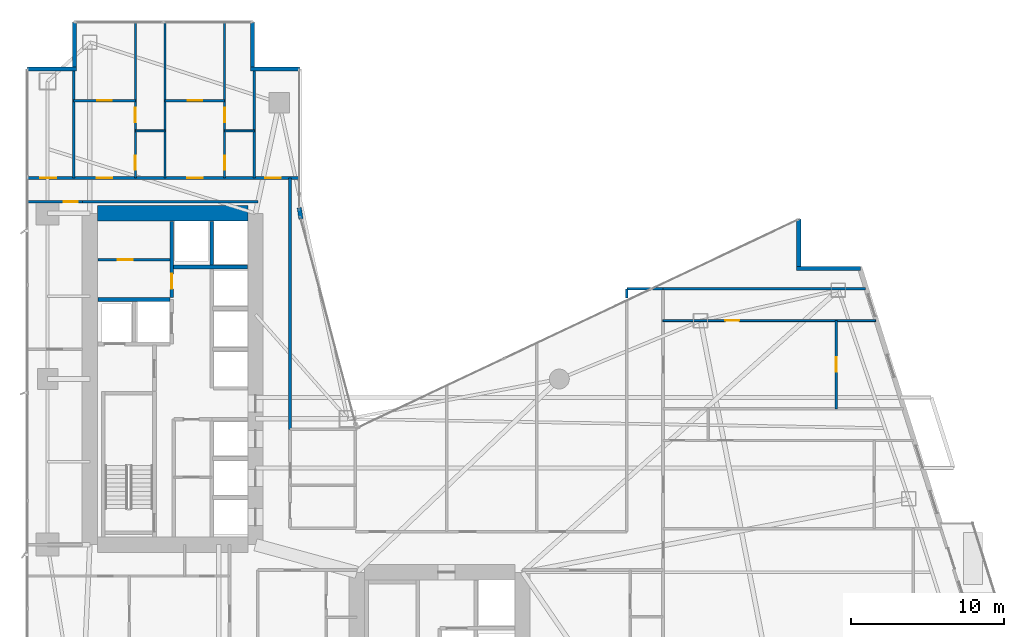
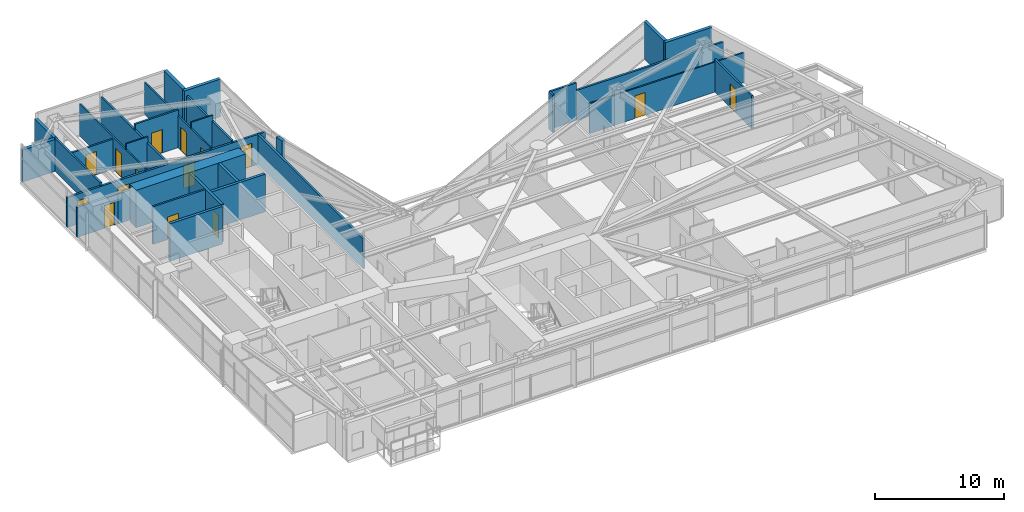
# One storey, part 25 of 29: 31 walls, 15 doors, 15 openings.
"""IFC4 building model written with IfcOpenShell, lengths in metres."""

from ifc_helpers import new_model, si_unit, direction, frame, frame_2d, origin, place, context, subcontext, project, spatial, rectangle, extrude, material, layer, layer_set, type_object, element, fill, save


model = new_model("IFC4")

# Units and contexts
model_context = context("Model", 3, precision=1e-05, world=origin(), true_north=direction((0.0, 1.0)))
body_context = subcontext(model_context, "Body", "Model", "MODEL_VIEW")
ifc_project = project(units=[si_unit("LENGTHUNIT", "METRE"), si_unit("AREAUNIT", "SQUARE_METRE"), si_unit("VOLUMEUNIT", "CUBIC_METRE"), si_unit("PLANEANGLEUNIT", "RADIAN"), si_unit("MASSUNIT", "GRAM", prefix="KILO")], contexts=[model_context])

# Site, building, storey
site_placement = place(None, origin())
site = spatial("IfcSite", under=ifc_project, at=site_placement, CompositionType="ELEMENT")
building_placement = place(site_placement, origin())
building = spatial("IfcBuilding", under=site, at=building_placement, Name="Calvorn Quay Hotel", CompositionType="ELEMENT")
storey_placement = place(building_placement, frame((0.0, 0.0, 62.199951171875)))
storey = spatial("IfcBuildingStorey", under=building, at=storey_placement, Name="L14", CompositionType="ELEMENT", Elevation=62.199951171875)

# Wall
ifc_material_1 = material(Name="Concrete C60", Category="concrete")
ifc_layer_1 = layer(ifc_material_1, 1.0)
ifc_layer_set_1 = layer_set([ifc_layer_1], Name="WL-CORE-1000")
wall_type_1 = type_object("IfcWallType", Name="WL-CORE-1000", PredefinedType="SHEAR", material=ifc_layer_set_1)
wall_1_placement = place(storey_placement, frame((4.699951171875, 38.39990234375, 0.0), z_axis=(0.0, 0.0, 1.0), x_axis=(1.0, 0.0, 0.0)))
element("IfcWall", 1, at=wall_1_placement, inside=storey, type_object=wall_type_1, Name="West Core Shear Wall N (L14)", PredefinedType="SHEAR", context=body_context, shape_type="SweptSolid", body=[
    extrude(rectangle(XDim=9.800048828125, YDim=1.0, at=frame_2d((4.89990234375, 0.0))), origin(), (0.0, 0.0, 1.0), 3.56005859375),
])

# Wall, opening, door
ifc_material_2 = material(Name="Acoustic Fireboard Steel-Stud Partition", Category="steel")
ifc_layer_2 = layer(ifc_material_2, 0.179931640625)
ifc_layer_set_2 = layer_set([ifc_layer_2], Name="WL-CORR-FIRE-180")
wall_type_2 = type_object("IfcWallType", Name="WL-CORR-FIRE-180", PredefinedType="PARTITIONING", material=ifc_layer_set_2)
wall_2_placement = place(storey_placement, frame((0.080078125, 39.14990234375, 0.0), z_axis=(0.0, 0.0, 1.0), x_axis=(1.0, 0.0, 0.0)))
wall_2 = element("IfcWall", 2, at=wall_2_placement, inside=storey, type_object=wall_type_2, Name="Partition Wall L14-WL-WBAY-N-DOOR", PredefinedType="PARTITIONING", context=body_context, shape_type="SweptSolid", body=[
    extrude(rectangle(XDim=3.64990234375, YDim=0.179931640625, at=frame_2d((1.824951171875, 0.0))), origin(), (0.0, 0.0, 1.0), 2.840087890625),
])
opening_1_placement = place(wall_2_placement, frame((2.429931640625, 0.0, 0.0)))
opening_1 = element("IfcOpeningElement", 3, at=opening_1_placement, cuts=wall_2, Name="Opening D-L14-WBN", PredefinedType="OPENING", context=body_context, shape_type="SweptSolid", body=[
    extrude(rectangle(XDim=0.89990234375, YDim=2.14990234375, at=frame_2d((0.449951171875, 1.074951171875))), frame((0.0, 0.099853515625, 0.0), z_axis=(0.0, -1.0, 0.0), x_axis=(1.0, 0.0, 0.0)), (0.0, 0.0, 1.0), 0.199951171875),
])
ifc_material_3 = material(Name="Moisture-Sealed Timber En-Suite Door", Category="wood")
door_type_1 = type_object("IfcDoorType", Name="DR-ENSUITE-900", OperationType="NOTDEFINED", PredefinedType="DOOR", material=ifc_material_3)
door_1_placement = place(opening_1_placement, origin())
door_1 = element("IfcDoor", 4, at=door_1_placement, inside=storey, type_object=door_type_1, Name="West North Bay Door (L14)", OperationType="SINGLE_SWING_LEFT", OverallHeight=2.14990234375, OverallWidth=0.89990234375, PredefinedType="DOOR", context=body_context, shape_type="SweptSolid", body=[
    extrude(rectangle(XDim=0.89990234375, YDim=2.14990234375, at=frame_2d((0.449951171875, 1.074951171875))), frame((0.0, 0.02490234375, 0.0), z_axis=(0.0, -1.0, 0.0), x_axis=(1.0, 0.0, 0.0)), (0.0, 0.0, 1.0), 0.050048828125),
])
fill(opening_1, door_1)

# Wall, openings, doors
wall_3_placement = place(storey_placement, frame((0.080078125, 40.699951171875, 0.0), z_axis=(0.0, 0.0, 1.0), x_axis=(1.0, 0.0, 0.0)))
wall_3 = element("IfcWall", 5, at=wall_3_placement, inside=storey, type_object=wall_type_2, Name="Partition Wall L14-WL-CORR-NW-N", PredefinedType="PARTITIONING", context=body_context, shape_type="SweptSolid", body=[
    extrude(rectangle(XDim=17.77001953125, YDim=0.179931640625, at=frame_2d((8.885009765625, 0.0))), origin(), (0.0, 0.0, 1.0), 2.840087890625),
])
opening_2_placement = place(wall_3_placement, frame((0.89990234375, 0.0, 0.0)))
opening_2 = element("IfcOpeningElement", 6, at=opening_2_placement, cuts=wall_3, Name="Opening D-L14-NWW", PredefinedType="OPENING", context=body_context, shape_type="SweptSolid", body=[
    extrude(rectangle(XDim=1.02001953125, YDim=2.199951171875, at=frame_2d((0.510009765625, 1.10009765625))), frame((0.0, 0.099853515625, 0.0), z_axis=(0.0, -1.0, 0.0), x_axis=(1.0, 0.0, 0.0)), (0.0, 0.0, 1.0), 0.199951171875),
])
opening_3_placement = place(wall_3_placement, frame((4.570068359375, 0.0, 0.0)))
opening_3 = element("IfcOpeningElement", 7, at=opening_3_placement, cuts=wall_3, Name="Opening D-L14-U04", PredefinedType="OPENING", context=body_context, shape_type="SweptSolid", body=[
    extrude(rectangle(XDim=1.02001953125, YDim=2.199951171875, at=frame_2d((0.510009765625, 1.10009765625))), frame((0.0, 0.099853515625, 0.0), z_axis=(0.0, -1.0, 0.0), x_axis=(1.0, 0.0, 0.0)), (0.0, 0.0, 1.0), 0.199951171875),
])
opening_4_placement = place(wall_3_placement, frame((10.4599609375, 0.0, 0.0)))
opening_4 = element("IfcOpeningElement", 8, at=opening_4_placement, cuts=wall_3, Name="Opening D-L14-U05", PredefinedType="OPENING", context=body_context, shape_type="SweptSolid", body=[
    extrude(rectangle(XDim=1.02001953125, YDim=2.199951171875, at=frame_2d((0.510009765625, 1.10009765625))), frame((0.0, 0.099853515625, 0.0), z_axis=(0.0, -1.0, 0.0), x_axis=(1.0, 0.0, 0.0)), (0.0, 0.0, 1.0), 0.199951171875),
])
opening_5_placement = place(wall_3_placement, frame((15.550048828125, 0.0, 0.0)))
opening_5 = element("IfcOpeningElement", 9, at=opening_5_placement, cuts=wall_3, Name="Opening D-L14-NWE", PredefinedType="OPENING", context=body_context, shape_type="SweptSolid", body=[
    extrude(rectangle(XDim=1.02001953125, YDim=2.199951171875, at=frame_2d((0.510009765625, 1.10009765625))), frame((0.0, 0.099853515625, 0.0), z_axis=(0.0, -1.0, 0.0), x_axis=(1.0, 0.0, 0.0)), (0.0, 0.0, 1.0), 0.199951171875),
])
ifc_material_4 = material(Name="Solid-Core Walnut Veneer Hotel Fire Door")
door_type_2 = type_object("IfcDoorType", Name="DR-GUEST-ENTRY-1020", OperationType="NOTDEFINED", PredefinedType="DOOR", material=ifc_material_4)
door_2_placement = place(opening_2_placement, origin())
door_2 = element("IfcDoor", 10, at=door_2_placement, inside=storey, type_object=door_type_2, Name="West Corner Study Door (L14)", OperationType="SINGLE_SWING_LEFT", OverallHeight=2.199951171875, OverallWidth=1.02001953125, PredefinedType="DOOR", context=body_context, shape_type="SweptSolid", body=[
    extrude(rectangle(XDim=1.02001953125, YDim=2.199951171875, at=frame_2d((0.510009765625, 1.10009765625))), frame((0.0, 0.02490234375, 0.0), z_axis=(0.0, -1.0, 0.0), x_axis=(1.0, 0.0, 0.0)), (0.0, 0.0, 1.0), 0.050048828125),
])
fill(opening_2, door_2)
door_3_placement = place(opening_3_placement, origin())
door_3 = element("IfcDoor", 11, at=door_3_placement, inside=storey, type_object=door_type_2, Name="North-West Unit Door U04 (L14)", OperationType="SINGLE_SWING_RIGHT", OverallHeight=2.199951171875, OverallWidth=1.02001953125, PredefinedType="DOOR", context=body_context, shape_type="SweptSolid", body=[
    extrude(rectangle(XDim=1.02001953125, YDim=2.199951171875, at=frame_2d((0.510009765625, 1.10009765625))), frame((0.0, 0.02490234375, 0.0), z_axis=(0.0, -1.0, 0.0), x_axis=(1.0, 0.0, 0.0)), (0.0, 0.0, 1.0), 0.050048828125),
])
fill(opening_3, door_3)
door_4_placement = place(opening_4_placement, origin())
door_4 = element("IfcDoor", 12, at=door_4_placement, inside=storey, type_object=door_type_2, Name="North-West Unit Door U05 (L14)", OperationType="SINGLE_SWING_LEFT", OverallHeight=2.199951171875, OverallWidth=1.02001953125, PredefinedType="DOOR", context=body_context, shape_type="SweptSolid", body=[
    extrude(rectangle(XDim=1.02001953125, YDim=2.199951171875, at=frame_2d((0.510009765625, 1.10009765625))), frame((0.0, 0.02490234375, 0.0), z_axis=(0.0, -1.0, 0.0), x_axis=(1.0, 0.0, 0.0)), (0.0, 0.0, 1.0), 0.050048828125),
])
fill(opening_4, door_4)
door_5_placement = place(opening_5_placement, origin())
door_5 = element("IfcDoor", 13, at=door_5_placement, inside=storey, type_object=door_type_2, Name="Inner Court Study Door (L14)", OperationType="SINGLE_SWING_RIGHT", OverallHeight=2.199951171875, OverallWidth=1.02001953125, PredefinedType="DOOR", context=body_context, shape_type="SweptSolid", body=[
    extrude(rectangle(XDim=1.02001953125, YDim=2.199951171875, at=frame_2d((0.510009765625, 1.10009765625))), frame((0.0, 0.02490234375, 0.0), z_axis=(0.0, -1.0, 0.0), x_axis=(1.0, 0.0, 0.0)), (0.0, 0.0, 1.0), 0.050048828125),
])
fill(opening_5, door_5)

# Walls
wall_4_placement = place(storey_placement, frame((17.25, 24.300048828125, 0.0), z_axis=(0.0, 0.0, 1.0), x_axis=(0.0, 1.0, 0.0)))
element("IfcWall", 14, at=wall_4_placement, inside=storey, type_object=wall_type_2, Name="Partition Wall L14-WL-NW-CLOSURE-E", PredefinedType="PARTITIONING", context=body_context, shape_type="SweptSolid", body=[
    extrude(rectangle(XDim=16.39990234375, YDim=0.179931640625, at=frame_2d((8.199951171875, 0.0))), origin(), (0.0, 0.0, 1.0), 2.840087890625),
])
wall_5_placement = place(storey_placement, frame((3.679931640625, 39.14990234375, 0.0), z_axis=(0.0, 0.0, 1.0), x_axis=(1.0, 0.0, 0.0)))
element("IfcWall", 15, at=wall_5_placement, inside=storey, type_object=wall_type_2, Name="Partition Wall L14-WL-W-SPUR-S", PredefinedType="PARTITIONING", context=body_context, shape_type="SweptSolid", body=[
    extrude(rectangle(XDim=11.469970703125, YDim=0.179931640625, at=frame_2d((5.73486328125, 0.0))), origin(), (0.0, 0.0, 1.0), 2.840087890625),
])
wall_6_placement = place(storey_placement, frame((41.550048828125, 33.47998046875, 0.0), z_axis=(0.0, 0.0, 1.0), x_axis=(1.0, 0.0, 0.0)))
element("IfcWall", 16, at=wall_6_placement, inside=storey, type_object=wall_type_2, Name="Partition Wall L14-WL-TIP-N", PredefinedType="PARTITIONING", context=body_context, shape_type="SweptSolid", body=[
    extrude(rectangle(XDim=13.2099609375, YDim=0.179931640625, at=frame_2d((6.60498046875, 0.0))), origin(), (0.0, 0.0, 1.0), 2.840087890625),
])
wall_7_placement = place(storey_placement, frame((39.199951171875, 32.889892578125, 0.0), z_axis=(0.0, 0.0, 1.0), x_axis=(0.0, 1.0, 0.0)))
element("IfcWall", 17, at=wall_7_placement, inside=storey, type_object=wall_type_2, Name="Partition Wall L14-WL-CORR-TIP-NW", PredefinedType="PARTITIONING", context=body_context, shape_type="SweptSolid", body=[
    extrude(rectangle(XDim=0.590087890625, YDim=0.179931640625, at=frame_2d((0.294921875, 0.0))), origin(), (0.0, 0.0, 1.0), 3.56005859375),
])
wall_8_placement = place(storey_placement, frame((39.199951171875, 33.47998046875, 0.0), z_axis=(0.0, 0.0, 1.0), x_axis=(1.0, 0.0, 0.0)))
element("IfcWall", 18, at=wall_8_placement, inside=storey, type_object=wall_type_2, Name="Partition Wall L14-WL-CORR-TIP-NN", PredefinedType="PARTITIONING", context=body_context, shape_type="SweptSolid", body=[
    extrude(rectangle(XDim=2.35009765625, YDim=0.179931640625, at=frame_2d((1.175048828125, 0.0))), origin(), (0.0, 0.0, 1.0), 3.56005859375),
])
ifc_material_5 = material(Name="Moisture-Resistant Tile-Backed Partition")
ifc_layer_3 = layer(ifc_material_5, 0.125)
ifc_layer_set_3 = layer_set([ifc_layer_3], Name="WL-ENSUITE-125")
wall_type_3 = type_object("IfcWallType", Name="WL-ENSUITE-125", PredefinedType="PARTITIONING", material=ifc_layer_set_3)
wall_9_placement = place(storey_placement, frame((7.169921875, 43.77001953125, 0.0), z_axis=(0.0, 0.0, 1.0), x_axis=(1.0, 0.0, 0.0)))
element("IfcWall", 19, at=wall_9_placement, inside=storey, type_object=wall_type_3, Name="Partition Wall L14-WL-U04-BDV", PredefinedType="PARTITIONING", context=body_context, shape_type="SweptSolid", body=[
    extrude(rectangle(XDim=1.93017578125, YDim=0.125, at=frame_2d((0.965087890625, 0.0))), origin(), (0.0, 0.0, 1.0), 3.56005859375),
])

# Wall, openings, doors
wall_10_placement = place(storey_placement, frame((7.169921875, 40.699951171875, 0.0), z_axis=(0.0, 0.0, 1.0), x_axis=(0.0, 1.0, 0.0)))
wall_10 = element("IfcWall", 20, at=wall_10_placement, inside=storey, type_object=wall_type_3, Name="Partition Wall L14-WL-U04-BV", PredefinedType="PARTITIONING", context=body_context, shape_type="SweptSolid", body=[
    extrude(rectangle(XDim=10.239990234375, YDim=0.125, at=frame_2d((5.1201171875, 0.0))), origin(), (0.0, 0.0, 1.0), 3.0400390625),
])
opening_6_placement = place(wall_10_placement, frame((0.550048828125, 0.0, 0.0)))
opening_6 = element("IfcOpeningElement", 21, at=opening_6_placement, cuts=wall_10, Name="Opening D-L14-E04", PredefinedType="OPENING", context=body_context, shape_type="SweptSolid", body=[
    extrude(rectangle(XDim=0.89990234375, YDim=2.14990234375, at=frame_2d((0.449951171875, 1.074951171875))), frame((0.0, 0.072509765625, 0.0), z_axis=(0.0, -1.0, 0.0), x_axis=(1.0, 0.0, 0.0)), (0.0, 0.0, 1.0), 0.14501953125),
])
opening_7_placement = place(wall_10_placement, frame((3.6201171875, 0.0, 0.0)))
opening_7 = element("IfcOpeningElement", 22, at=opening_7_placement, cuts=wall_10, Name="Opening D-L14-S04", PredefinedType="OPENING", context=body_context, shape_type="SweptSolid", body=[
    extrude(rectangle(XDim=0.9599609375, YDim=2.199951171875, at=frame_2d((0.47998046875, 1.10009765625))), frame((0.0, 0.072509765625, 0.0), z_axis=(0.0, -1.0, 0.0), x_axis=(1.0, 0.0, 0.0)), (0.0, 0.0, 1.0), 0.14501953125),
])
door_6_placement = place(opening_6_placement, origin())
door_6 = element("IfcDoor", 23, at=door_6_placement, inside=storey, type_object=door_type_1, Name="En-Suite Door 04", OperationType="SINGLE_SWING_LEFT", OverallHeight=2.14990234375, OverallWidth=0.89990234375, PredefinedType="DOOR", context=body_context, shape_type="SweptSolid", body=[
    extrude(rectangle(XDim=0.89990234375, YDim=2.14990234375, at=frame_2d((0.449951171875, 1.074951171875))), frame((0.0, 0.02490234375, 0.0), z_axis=(0.0, -1.0, 0.0), x_axis=(1.0, 0.0, 0.0)), (0.0, 0.0, 1.0), 0.050048828125),
])
fill(opening_6, door_6)
ifc_material_6 = material(Name="Solid Timber Internal Suite Door", Category="wood")
door_type_3 = type_object("IfcDoorType", Name="DR-SUITE-INT-960", OperationType="NOTDEFINED", PredefinedType="DOOR", material=ifc_material_6)
door_7_placement = place(opening_7_placement, origin())
door_7 = element("IfcDoor", 24, at=door_7_placement, inside=storey, type_object=door_type_3, Name="Private Executive Study Door 04", OperationType="SINGLE_SWING_RIGHT", OverallHeight=2.199951171875, OverallWidth=0.9599609375, PredefinedType="DOOR", context=body_context, shape_type="SweptSolid", body=[
    extrude(rectangle(XDim=0.9599609375, YDim=2.199951171875, at=frame_2d((0.47998046875, 1.10009765625))), frame((0.0, 0.02490234375, 0.0), z_axis=(0.0, -1.0, 0.0), x_axis=(1.0, 0.0, 0.0)), (0.0, 0.0, 1.0), 0.050048828125),
])
fill(opening_7, door_7)

# Wall
wall_11_placement = place(storey_placement, frame((12.989990234375, 43.77001953125, 0.0), z_axis=(0.0, 0.0, 1.0), x_axis=(1.0, 0.0, 0.0)))
element("IfcWall", 25, at=wall_11_placement, inside=storey, type_object=wall_type_3, Name="Partition Wall L14-WL-U05-BDV", PredefinedType="PARTITIONING", context=body_context, shape_type="SweptSolid", body=[
    extrude(rectangle(XDim=1.929931640625, YDim=0.125, at=frame_2d((0.96484375, 0.0))), origin(), (0.0, 0.0, 1.0), 3.56005859375),
])

# Wall, openings, doors
wall_12_placement = place(storey_placement, frame((12.989990234375, 40.699951171875, 0.0), z_axis=(0.0, 0.0, 1.0), x_axis=(0.0, 1.0, 0.0)))
wall_12 = element("IfcWall", 26, at=wall_12_placement, inside=storey, type_object=wall_type_3, Name="Partition Wall L14-WL-U05-BV", PredefinedType="PARTITIONING", context=body_context, shape_type="SweptSolid", body=[
    extrude(rectangle(XDim=10.239990234375, YDim=0.125, at=frame_2d((5.1201171875, 0.0))), origin(), (0.0, 0.0, 1.0), 3.0400390625),
])
opening_8_placement = place(wall_12_placement, frame((0.550048828125, 0.0, 0.0)))
opening_8 = element("IfcOpeningElement", 27, at=opening_8_placement, cuts=wall_12, Name="Opening D-L14-E05", PredefinedType="OPENING", context=body_context, shape_type="SweptSolid", body=[
    extrude(rectangle(XDim=0.89990234375, YDim=2.14990234375, at=frame_2d((0.449951171875, 1.074951171875))), frame((0.0, 0.072509765625, 0.0), z_axis=(0.0, -1.0, 0.0), x_axis=(1.0, 0.0, 0.0)), (0.0, 0.0, 1.0), 0.14501953125),
])
opening_9_placement = place(wall_12_placement, frame((3.6201171875, 0.0, 0.0)))
opening_9 = element("IfcOpeningElement", 28, at=opening_9_placement, cuts=wall_12, Name="Opening D-L14-S05", PredefinedType="OPENING", context=body_context, shape_type="SweptSolid", body=[
    extrude(rectangle(XDim=0.9599609375, YDim=2.199951171875, at=frame_2d((0.47998046875, 1.10009765625))), frame((0.0, 0.072509765625, 0.0), z_axis=(0.0, -1.0, 0.0), x_axis=(1.0, 0.0, 0.0)), (0.0, 0.0, 1.0), 0.14501953125),
])
door_8_placement = place(opening_8_placement, origin())
door_8 = element("IfcDoor", 29, at=door_8_placement, inside=storey, type_object=door_type_1, Name="En-Suite Door 05", OperationType="SINGLE_SWING_LEFT", OverallHeight=2.14990234375, OverallWidth=0.89990234375, PredefinedType="DOOR", context=body_context, shape_type="SweptSolid", body=[
    extrude(rectangle(XDim=0.89990234375, YDim=2.14990234375, at=frame_2d((0.449951171875, 1.074951171875))), frame((0.0, 0.02490234375, 0.0), z_axis=(0.0, -1.0, 0.0), x_axis=(1.0, 0.0, 0.0)), (0.0, 0.0, 1.0), 0.050048828125),
])
fill(opening_8, door_8)
door_9_placement = place(opening_9_placement, origin())
door_9 = element("IfcDoor", 30, at=door_9_placement, inside=storey, type_object=door_type_3, Name="Private Executive Study Door 05", OperationType="SINGLE_SWING_RIGHT", OverallHeight=2.199951171875, OverallWidth=0.9599609375, PredefinedType="DOOR", context=body_context, shape_type="SweptSolid", body=[
    extrude(rectangle(XDim=0.9599609375, YDim=2.199951171875, at=frame_2d((0.47998046875, 1.10009765625))), frame((0.0, 0.02490234375, 0.0), z_axis=(0.0, -1.0, 0.0), x_axis=(1.0, 0.0, 0.0)), (0.0, 0.0, 1.0), 0.050048828125),
])
fill(opening_9, door_9)

# Wall, opening, door
wall_13_placement = place(storey_placement, frame((41.550048828125, 31.409912109375, 0.0), z_axis=(0.0, 0.0, 1.0), x_axis=(1.0, 0.0, 0.0)))
wall_13 = element("IfcWall", 31, at=wall_13_placement, inside=storey, type_object=wall_type_3, Name="Partition Wall L14-WL-U09-BH", PredefinedType="PARTITIONING", context=body_context, shape_type="SweptSolid", body=[
    extrude(rectangle(XDim=13.85986328125, YDim=0.125, at=frame_2d((6.929931640625, 0.0))), origin(), (0.0, 0.0, 1.0), 2.840087890625),
])
opening_10_placement = place(wall_13_placement, frame((4.070068359375, 0.0, 0.0)))
opening_10 = element("IfcOpeningElement", 32, at=opening_10_placement, cuts=wall_13, Name="Opening D-L14-E09", PredefinedType="OPENING", context=body_context, shape_type="SweptSolid", body=[
    extrude(rectangle(XDim=0.89990234375, YDim=2.14990234375, at=frame_2d((0.449951171875, 1.074951171875))), frame((0.0, 0.072509765625, 0.0), z_axis=(0.0, -1.0, 0.0), x_axis=(1.0, 0.0, 0.0)), (0.0, 0.0, 1.0), 0.14501953125),
])
door_10_placement = place(opening_10_placement, origin())
door_10 = element("IfcDoor", 33, at=door_10_placement, inside=storey, type_object=door_type_1, Name="En-Suite Door 09", OperationType="SINGLE_SWING_LEFT", OverallHeight=2.14990234375, OverallWidth=0.89990234375, PredefinedType="DOOR", context=body_context, shape_type="SweptSolid", body=[
    extrude(rectangle(XDim=0.89990234375, YDim=2.14990234375, at=frame_2d((0.449951171875, 1.074951171875))), frame((0.0, 0.02490234375, 0.0), z_axis=(0.0, -1.0, 0.0), x_axis=(1.0, 0.0, 0.0)), (0.0, 0.0, 1.0), 0.050048828125),
])
fill(opening_10, door_10)

# Walls
ifc_material_7 = material(Name="Concrete C40", Category="concrete")
ifc_layer_4 = layer(ifc_material_7, 0.320068359375)
ifc_layer_set_4 = layer_set([ifc_layer_4], Name="WL-EXT-SPANDREL-320")
wall_type_4 = type_object("IfcWallType", Name="WL-EXT-SPANDREL-320", PredefinedType="SOLIDWALL", material=ifc_layer_set_4)
wall_14_placement = place(storey_placement, frame((17.9619140625, 38.030029296875, 0.0), z_axis=(0.0, 0.0, 1.0), x_axis=(-0.15141125477, 0.988470855377, 0.0)))
element("IfcWall", 34, at=wall_14_placement, inside=storey, type_object=wall_type_4, Name="Inner Court Corner Pier L14-ICJ2", PredefinedType="SOLIDWALL", context=body_context, shape_type="SweptSolid", body=[
    extrude(rectangle(XDim=0.738525390625, YDim=0.280029296875, at=frame_2d((0.369140625, 0.0))), origin(), (0.0, 0.0, 1.0), 3.56005859375),
])
wall_15_placement = place(storey_placement, frame((54.43994140625, 34.800048828125, 0.0), z_axis=(0.0, 0.0, 1.0), x_axis=(-1.0, 0.0, 0.0)))
element("IfcWall", 35, at=wall_15_placement, inside=storey, type_object=wall_type_4, Name="Notched Corner Spandrel L14-NE1", PredefinedType="SOLIDWALL", context=body_context, shape_type="SweptSolid", body=[
    extrude(rectangle(XDim=4.179931640625, YDim=0.280029296875, at=frame_2d((2.08984375, 0.0))), origin(), (0.0, 0.0, 1.0), 3.56005859375),
])
wall_16_placement = place(storey_placement, frame((50.39990234375, 34.93994140625, 0.0), z_axis=(0.0, 0.0, 1.0), x_axis=(0.0, 1.0, 0.0)))
element("IfcWall", 36, at=wall_16_placement, inside=storey, type_object=wall_type_4, Name="Notched Corner Spandrel L14-NE2", PredefinedType="SOLIDWALL", context=body_context, shape_type="SweptSolid", body=[
    extrude(rectangle(XDim=3.10009765625, YDim=0.280029296875, at=frame_2d((1.550048828125, 0.0))), origin(), (0.0, 0.0, 1.0), 3.56005859375),
])
wall_17_placement = place(storey_placement, frame((17.89990234375, 47.800048828125, 0.0), z_axis=(0.0, 0.0, 1.0), x_axis=(-1.0, 0.0, 0.0)))
element("IfcWall", 37, at=wall_17_placement, inside=storey, type_object=wall_type_4, Name="Notched Corner Spandrel L14-NWE1", PredefinedType="SOLIDWALL", context=body_context, shape_type="SweptSolid", body=[
    extrude(rectangle(XDim=3.239990234375, YDim=0.280029296875, at=frame_2d((1.6201171875, 0.0))), origin(), (0.0, 0.0, 1.0), 3.56005859375),
])
wall_18_placement = place(storey_placement, frame((14.800048828125, 47.93994140625, 0.0), z_axis=(0.0, 0.0, 1.0), x_axis=(0.0, 1.0, 0.0)))
element("IfcWall", 38, at=wall_18_placement, inside=storey, type_object=wall_type_4, Name="Notched Corner Spandrel L14-NWE2", PredefinedType="SOLIDWALL", context=body_context, shape_type="SweptSolid", body=[
    extrude(rectangle(XDim=2.93994140625, YDim=0.280029296875, at=frame_2d((1.469970703125, 0.0))), origin(), (0.0, 0.0, 1.0), 3.56005859375),
])
wall_19_placement = place(storey_placement, frame((3.199951171875, 50.8798828125, 0.0), z_axis=(0.0, 0.0, 1.0), x_axis=(0.0, -1.0, 0.0)))
element("IfcWall", 39, at=wall_19_placement, inside=storey, type_object=wall_type_4, Name="Notched Corner Spandrel L14-NW1", PredefinedType="SOLIDWALL", context=body_context, shape_type="SweptSolid", body=[
    extrude(rectangle(XDim=2.93994140625, YDim=0.280029296875, at=frame_2d((1.469970703125, 0.0))), origin(), (0.0, 0.0, 1.0), 3.0400390625),
])
wall_20_placement = place(storey_placement, frame((3.340087890625, 47.800048828125, 0.0), z_axis=(0.0, 0.0, 1.0), x_axis=(-1.0, 0.0, 0.0)))
element("IfcWall", 40, at=wall_20_placement, inside=storey, type_object=wall_type_4, Name="Notched Corner Spandrel L14-NW2", PredefinedType="SOLIDWALL", context=body_context, shape_type="SweptSolid", body=[
    extrude(rectangle(XDim=3.219970703125, YDim=0.280029296875, at=frame_2d((1.60986328125, 0.0))), origin(), (0.0, 0.0, 1.0), 3.0400390625),
])

# Wall, opening, door
ifc_material_8 = material(Name="Double-Stud Acoustic Gypsum Partition")
ifc_layer_5 = layer(ifc_material_8, 0.159912109375)
ifc_layer_set_5 = layer_set([ifc_layer_5], Name="WL-INTERSUITE-160")
wall_type_5 = type_object("IfcWallType", Name="WL-INTERSUITE-160", PredefinedType="PARTITIONING", material=ifc_layer_set_5)
wall_21_placement = place(storey_placement, frame((4.719970703125, 35.3798828125, 0.0), z_axis=(0.0, 0.0, 1.0), x_axis=(1.0, 0.0, 0.0)))
wall_21 = element("IfcWall", 41, at=wall_21_placement, inside=storey, type_object=wall_type_5, Name="Partition Wall L14-WL-CWW-K-MID", PredefinedType="PARTITIONING", context=body_context, shape_type="SweptSolid", body=[
    extrude(rectangle(XDim=4.699951171875, YDim=0.159912109375, at=frame_2d((2.35009765625, 0.0))), origin(), (0.0, 0.0, 1.0), 3.56005859375),
])
opening_11_placement = place(wall_21_placement, frame((1.300048828125, 0.0, 0.0)))
opening_11 = element("IfcOpeningElement", 42, at=opening_11_placement, cuts=wall_21, Name="Opening D-L14-CK2", PredefinedType="OPENING", context=body_context, shape_type="SweptSolid", body=[
    extrude(rectangle(XDim=0.97998046875, YDim=2.14990234375, at=frame_2d((0.489990234375, 1.074951171875))), frame((0.0, 0.08984375, 0.0), z_axis=(0.0, -1.0, 0.0), x_axis=(1.0, 0.0, 0.0)), (0.0, 0.0, 1.0), 0.179931640625),
])
ifc_material_9 = material(Name="Painted Steel Housekeeping/Riser Fire Door", Category="steel")
door_type_4 = type_object("IfcDoorType", Name="DR-SERVICE-980", OperationType="NOTDEFINED", PredefinedType="DOOR", material=ifc_material_9)
door_11_placement = place(opening_11_placement, origin())
door_11 = element("IfcDoor", 43, at=door_11_placement, inside=storey, type_object=door_type_4, Name="Electrical Riser Door (L14)", OperationType="SINGLE_SWING_RIGHT", OverallHeight=2.14990234375, OverallWidth=0.97998046875, PredefinedType="DOOR", context=body_context, shape_type="SweptSolid", body=[
    extrude(rectangle(XDim=0.97998046875, YDim=2.14990234375, at=frame_2d((0.489990234375, 1.074951171875))), frame((0.0, 0.02490234375, 0.0), z_axis=(0.0, -1.0, 0.0), x_axis=(1.0, 0.0, 0.0)), (0.0, 0.0, 1.0), 0.050048828125),
])
fill(opening_11, door_11)

# Walls
wall_22_placement = place(storey_placement, frame((3.14990234375, 40.699951171875, 0.0), z_axis=(0.0, 0.0, 1.0), x_axis=(0.0, 1.0, 0.0)))
element("IfcWall", 44, at=wall_22_placement, inside=storey, type_object=wall_type_5, Name="Partition Wall L14-WL-NW-DIV-W0", PredefinedType="PARTITIONING", context=body_context, shape_type="SweptSolid", body=[
    extrude(rectangle(XDim=7.10009765625, YDim=0.159912109375, at=frame_2d((3.550048828125, 0.0))), origin(), (0.0, 0.0, 1.0), 3.14013671875),
])
wall_23_placement = place(storey_placement, frame((14.919921875, 40.699951171875, 0.0), z_axis=(0.0, 0.0, 1.0), x_axis=(0.0, 1.0, 0.0)))
element("IfcWall", 45, at=wall_23_placement, inside=storey, type_object=wall_type_5, Name="Partition Wall L14-WL-NW-DIV-E0", PredefinedType="PARTITIONING", context=body_context, shape_type="SweptSolid", body=[
    extrude(rectangle(XDim=7.10009765625, YDim=0.159912109375, at=frame_2d((3.550048828125, 0.0))), origin(), (0.0, 0.0, 1.0), 3.0400390625),
])

# Wall, opening, door
wall_24_placement = place(storey_placement, frame((3.14990234375, 45.75, 0.0), z_axis=(0.0, 0.0, 1.0), x_axis=(1.0, 0.0, 0.0)))
wall_24 = element("IfcWall", 46, at=wall_24_placement, inside=storey, type_object=wall_type_5, Name="Partition Wall L14-WL-U04-MSP", PredefinedType="PARTITIONING", context=body_context, shape_type="SweptSolid", body=[
    extrude(rectangle(XDim=4.02001953125, YDim=0.159912109375, at=frame_2d((2.010009765625, 0.0))), origin(), (0.0, 0.0, 1.0), 2.840087890625),
])
opening_12_placement = place(wall_24_placement, frame((1.530029296875, 0.0, 0.0)))
opening_12 = element("IfcOpeningElement", 47, at=opening_12_placement, cuts=wall_24, Name="Opening D-L14-M04", PredefinedType="OPENING", context=body_context, shape_type="SweptSolid", body=[
    extrude(rectangle(XDim=0.9599609375, YDim=2.199951171875, at=frame_2d((0.47998046875, 1.10009765625))), frame((0.0, 0.08984375, 0.0), z_axis=(0.0, -1.0, 0.0), x_axis=(1.0, 0.0, 0.0)), (0.0, 0.0, 1.0), 0.179931640625),
])
door_12_placement = place(opening_12_placement, origin())
door_12 = element("IfcDoor", 48, at=door_12_placement, inside=storey, type_object=door_type_3, Name="Suite Bedroom Door 04", OperationType="SINGLE_SWING_LEFT", OverallHeight=2.199951171875, OverallWidth=0.9599609375, PredefinedType="DOOR", context=body_context, shape_type="SweptSolid", body=[
    extrude(rectangle(XDim=0.9599609375, YDim=2.199951171875, at=frame_2d((0.47998046875, 1.10009765625))), frame((0.0, 0.02490234375, 0.0), z_axis=(0.0, -1.0, 0.0), x_axis=(1.0, 0.0, 0.0)), (0.0, 0.0, 1.0), 0.050048828125),
])
fill(opening_12, door_12)

wall_25_placement = place(storey_placement, frame((9.10009765625, 45.75, 0.0), z_axis=(0.0, 0.0, 1.0), x_axis=(1.0, 0.0, 0.0)))
wall_25 = element("IfcWall", 49, at=wall_25_placement, inside=storey, type_object=wall_type_5, Name="Partition Wall L14-WL-U05-MSP", PredefinedType="PARTITIONING", context=body_context, shape_type="SweptSolid", body=[
    extrude(rectangle(XDim=3.889892578125, YDim=0.159912109375, at=frame_2d((1.94482421875, 0.0))), origin(), (0.0, 0.0, 1.0), 3.56005859375),
])
opening_13_placement = place(wall_25_placement, frame((1.469970703125, 0.0, 0.0)))
opening_13 = element("IfcOpeningElement", 50, at=opening_13_placement, cuts=wall_25, Name="Opening D-L14-M05", PredefinedType="OPENING", context=body_context, shape_type="SweptSolid", body=[
    extrude(rectangle(XDim=0.9599609375, YDim=2.199951171875, at=frame_2d((0.47998046875, 1.10009765625))), frame((0.0, 0.08984375, 0.0), z_axis=(0.0, -1.0, 0.0), x_axis=(1.0, 0.0, 0.0)), (0.0, 0.0, 1.0), 0.179931640625),
])
door_13_placement = place(opening_13_placement, origin())
door_13 = element("IfcDoor", 51, at=door_13_placement, inside=storey, type_object=door_type_3, Name="Suite Bedroom Door 05", OperationType="SINGLE_SWING_LEFT", OverallHeight=2.199951171875, OverallWidth=0.9599609375, PredefinedType="DOOR", context=body_context, shape_type="SweptSolid", body=[
    extrude(rectangle(XDim=0.9599609375, YDim=2.199951171875, at=frame_2d((0.47998046875, 1.10009765625))), frame((0.0, 0.02490234375, 0.0), z_axis=(0.0, -1.0, 0.0), x_axis=(1.0, 0.0, 0.0)), (0.0, 0.0, 1.0), 0.050048828125),
])
fill(opening_13, door_13)

# Wall
wall_26_placement = place(storey_placement, frame((9.10009765625, 40.699951171875, 0.0), z_axis=(0.0, 0.0, 1.0), x_axis=(0.0, 1.0, 0.0)))
element("IfcWall", 52, at=wall_26_placement, inside=storey, type_object=wall_type_5, Name="Partition Wall L14-WL-NW-DIV-1", PredefinedType="PARTITIONING", context=body_context, shape_type="SweptSolid", body=[
    extrude(rectangle(XDim=10.239990234375, YDim=0.159912109375, at=frame_2d((5.1201171875, 0.0))), origin(), (0.0, 0.0, 1.0), 3.0400390625),
])

# Wall, opening, door
wall_27_placement = place(storey_placement, frame((52.85009765625, 25.659912109375, 0.0), z_axis=(0.0, 0.0, 1.0), x_axis=(0.0, 1.0, 0.0)))
wall_27 = element("IfcWall", 53, at=wall_27_placement, inside=storey, type_object=wall_type_5, Name="Partition Wall L14-WL-U09-MSP", PredefinedType="PARTITIONING", context=body_context, shape_type="SweptSolid", body=[
    extrude(rectangle(XDim=5.75, YDim=0.159912109375, at=frame_2d((2.875, 0.0))), origin(), (0.0, 0.0, 1.0), 3.090087890625),
])
opening_14_placement = place(wall_27_placement, frame((2.39990234375, 0.0, 0.0)))
opening_14 = element("IfcOpeningElement", 54, at=opening_14_placement, cuts=wall_27, Name="Opening D-L14-M09", PredefinedType="OPENING", context=body_context, shape_type="SweptSolid", body=[
    extrude(rectangle(XDim=0.9599609375, YDim=2.199951171875, at=frame_2d((0.47998046875, 1.10009765625))), frame((0.0, 0.08984375, 0.0), z_axis=(0.0, -1.0, 0.0), x_axis=(1.0, 0.0, 0.0)), (0.0, 0.0, 1.0), 0.179931640625),
])
door_14_placement = place(opening_14_placement, origin())
door_14 = element("IfcDoor", 55, at=door_14_placement, inside=storey, type_object=door_type_3, Name="Suite Bedroom Door 09", OperationType="SINGLE_SWING_LEFT", OverallHeight=2.199951171875, OverallWidth=0.9599609375, PredefinedType="DOOR", context=body_context, shape_type="SweptSolid", body=[
    extrude(rectangle(XDim=0.9599609375, YDim=2.199951171875, at=frame_2d((0.47998046875, 1.10009765625))), frame((0.0, 0.02490234375, 0.0), z_axis=(0.0, -1.0, 0.0), x_axis=(1.0, 0.0, 0.0)), (0.0, 0.0, 1.0), 0.050048828125),
])
fill(opening_14, door_14)

ifc_material_10 = material(Name="Autoclaved Aerated Masonry Block", Category="masonry")
ifc_layer_6 = layer(ifc_material_10, 0.219970703125)
ifc_layer_set_6 = layer_set([ifc_layer_6], Name="WL-LOBBY-FIRE-220")
wall_type_6 = type_object("IfcWallType", Name="WL-LOBBY-FIRE-220", PredefinedType="SOLIDWALL", material=ifc_layer_set_6)
wall_28_placement = place(storey_placement, frame((9.5400390625, 32.919921875, 0.0), z_axis=(0.0, 0.0, 1.0), x_axis=(0.0, 1.0, 0.0)))
wall_28 = element("IfcWall", 56, at=wall_28_placement, inside=storey, type_object=wall_type_6, Name="Partition Wall L14-WL-CWW-K-E", PredefinedType="SOLIDWALL", context=body_context, shape_type="SweptSolid", body=[
    extrude(rectangle(XDim=4.9599609375, YDim=0.219970703125, at=frame_2d((2.47998046875, 0.0))), origin(), (0.0, 0.0, 1.0), 3.56005859375),
])
opening_15_placement = place(wall_28_placement, frame((0.550048828125, 0.0, 0.0)))
opening_15 = element("IfcOpeningElement", 57, at=opening_15_placement, cuts=wall_28, Name="Opening D-L14-CK1", PredefinedType="OPENING", context=body_context, shape_type="SweptSolid", body=[
    extrude(rectangle(XDim=0.97998046875, YDim=2.14990234375, at=frame_2d((0.489990234375, 1.074951171875))), frame((0.0, 0.119873046875, 0.0), z_axis=(0.0, -1.0, 0.0), x_axis=(1.0, 0.0, 0.0)), (0.0, 0.0, 1.0), 0.239990234375),
])
door_15_placement = place(opening_15_placement, origin())
door_15 = element("IfcDoor", 58, at=door_15_placement, inside=storey, type_object=door_type_4, Name="Core Housekeeping Door (L14)", OperationType="SINGLE_SWING_LEFT", OverallHeight=2.14990234375, OverallWidth=0.97998046875, PredefinedType="DOOR", context=body_context, shape_type="SweptSolid", body=[
    extrude(rectangle(XDim=0.97998046875, YDim=2.14990234375, at=frame_2d((0.489990234375, 1.074951171875))), frame((0.0, 0.02490234375, 0.0), z_axis=(0.0, -1.0, 0.0), x_axis=(1.0, 0.0, 0.0)), (0.0, 0.0, 1.0), 0.050048828125),
])
fill(opening_15, door_15)

# Walls
ifc_material_11 = material(Name="Concrete C40", Category="concrete")
ifc_layer_7 = layer(ifc_material_11, 0.239990234375)
ifc_layer_set_7 = layer_set([ifc_layer_7], Name="WL-SHAFT-240")
wall_type_7 = type_object("IfcWallType", Name="WL-SHAFT-240", PredefinedType="SOLIDWALL", material=ifc_layer_set_7)
wall_29_placement = place(storey_placement, frame((4.719970703125, 32.780029296875, 0.0), z_axis=(0.0, 0.0, 1.0), x_axis=(1.0, 0.0, 0.0)))
element("IfcWall", 59, at=wall_29_placement, inside=storey, type_object=wall_type_7, Name="Partition Wall L14-WL-CWW-SLW-N", PredefinedType="SOLIDWALL", context=body_context, shape_type="SweptSolid", body=[
    extrude(rectangle(XDim=4.699951171875, YDim=0.239990234375, at=frame_2d((2.35009765625, 0.0))), origin(), (0.0, 0.0, 1.0), 3.56005859375),
])
wall_30_placement = place(storey_placement, frame((9.659912109375, 34.89990234375, 0.0), z_axis=(0.0, 0.0, 1.0), x_axis=(1.0, 0.0, 0.0)))
element("IfcWall", 60, at=wall_30_placement, inside=storey, type_object=wall_type_7, Name="Partition Wall L14-WL-CWW-PLH-S", PredefinedType="SOLIDWALL", context=body_context, shape_type="SweptSolid", body=[
    extrude(rectangle(XDim=4.820068359375, YDim=0.239990234375, at=frame_2d((2.41015625, 0.0))), origin(), (0.0, 0.0, 1.0), 3.56005859375),
])
wall_31_placement = place(storey_placement, frame((12.14990234375, 35.02001953125, 0.0), z_axis=(0.0, 0.0, 1.0), x_axis=(0.0, 1.0, 0.0)))
element("IfcWall", 61, at=wall_31_placement, inside=storey, type_object=wall_type_7, Name="Partition Wall L14-WL-CWW-PLH-DIV", PredefinedType="SOLIDWALL", context=body_context, shape_type="SweptSolid", body=[
    extrude(rectangle(XDim=2.85986328125, YDim=0.239990234375, at=frame_2d((1.429931640625, 0.0))), origin(), (0.0, 0.0, 1.0), 3.56005859375),
])

save(model, "model.ifc")
